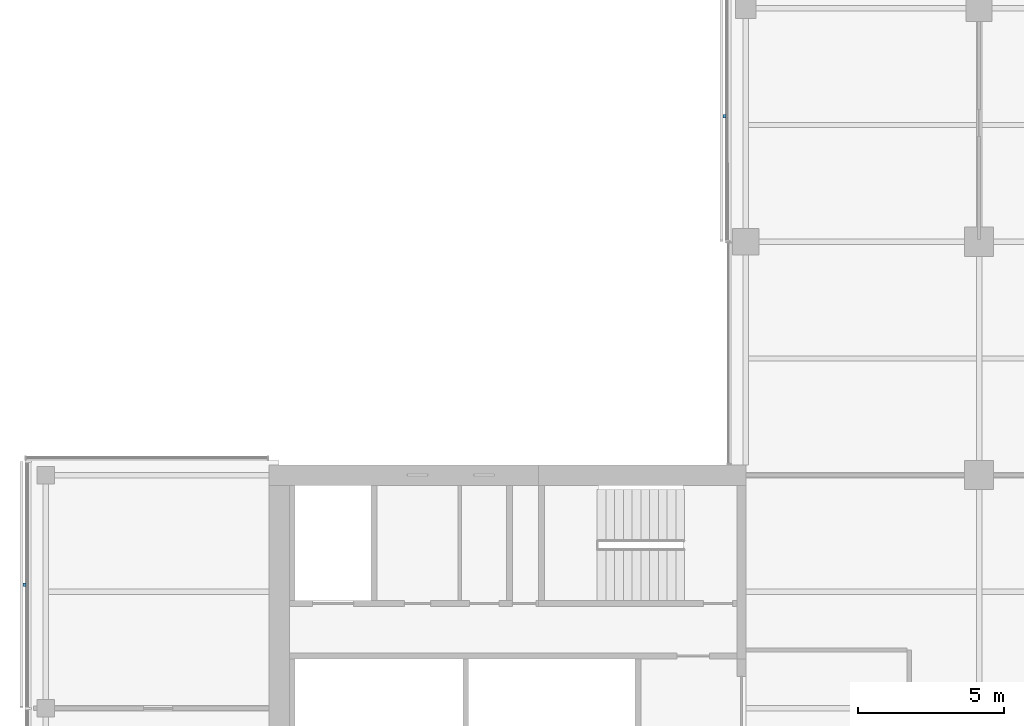
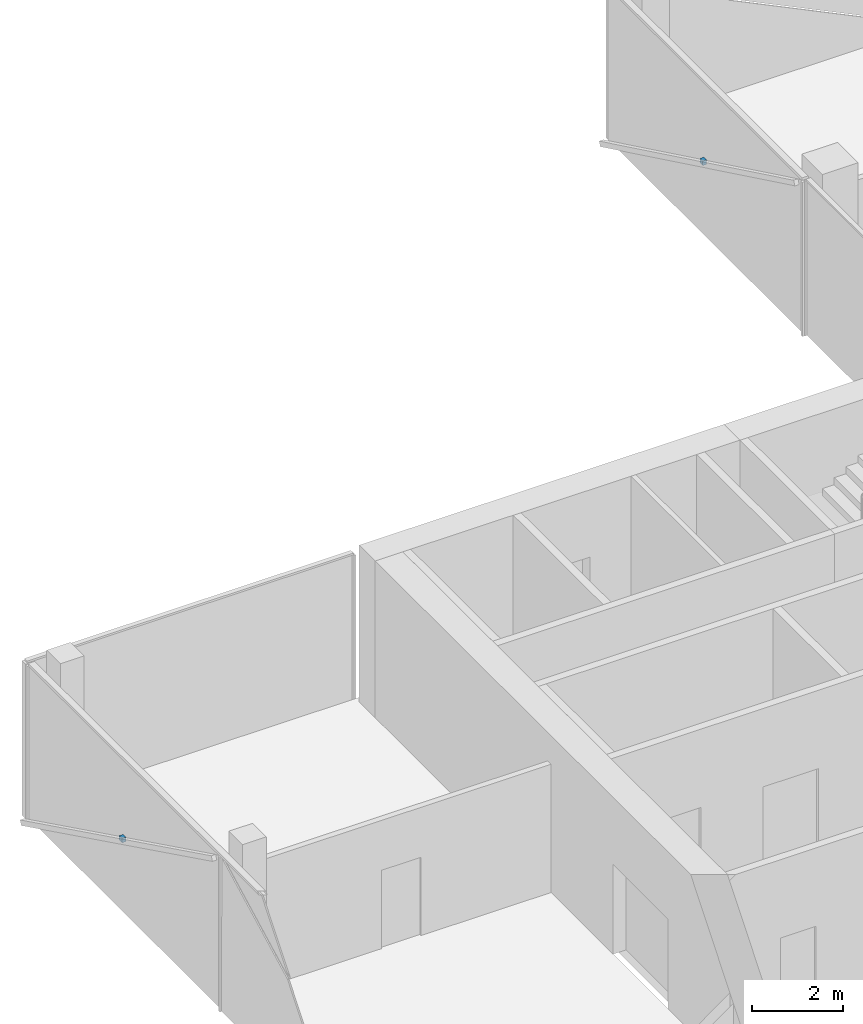
# One storey, part 19 of 22: 2 discrete accessories.
"""IFC4 building model written with IfcOpenShell, lengths in metres."""

from ifc_helpers import new_model, si_unit, direction, frame, origin, origin_2d, place, context, subcontext, project, spatial, rectangle, extrude, material, type_object, element, save


model = new_model("IFC4")

# Units and contexts
model_context = context("Model", 3, precision=1e-05, world=origin(), true_north=direction((0.0, 1.0)))
body_context = subcontext(model_context, "Body", "Model", "MODEL_VIEW")
ifc_project = project(units=[si_unit("LENGTHUNIT", "METRE"), si_unit("AREAUNIT", "SQUARE_METRE"), si_unit("VOLUMEUNIT", "CUBIC_METRE"), si_unit("PLANEANGLEUNIT", "RADIAN"), si_unit("MASSUNIT", "GRAM", prefix="KILO")], contexts=[model_context])

# Site, building, storey
site_placement = place(None, origin())
site = spatial("IfcSite", under=ifc_project, at=site_placement, CompositionType="ELEMENT")
building_placement = place(site_placement, origin())
building = spatial("IfcBuilding", under=site, at=building_placement, Name="Crosswind Convention Tower", CompositionType="ELEMENT")
storey_placement = place(building_placement, frame((0.0, 0.0, 158.89990234375)))
storey = spatial("IfcBuildingStorey", under=building, at=storey_placement, Name="L33", CompositionType="ELEMENT", Elevation=158.89990234375)

# Discrete accessories
ifc_material = material(Name="Stainless steel", Category="steel")
discrete_accessory_type = type_object("IfcDiscreteAccessoryType", Name="BAGUETTE BRACKET BK3", PredefinedType="BRACKET", material=ifc_material)
for number, where, z_axis, x_axis, name in (
    (1, (112.27392578125, 124.304931640625, 1.705078125), (0.0, 0.0, 1.0), (0.0, -1.0, 0.0), "BK3 baguette bracket"),
    (2, (88.27392578125, 108.232421875, 1.705078125), (0.0, 0.0, 1.0), (0.0, -1.0, 0.0), "BK3 baguette bracket"),
):
    element("IfcDiscreteAccessory", number, at=place(storey_placement, frame(where, z_axis=z_axis, x_axis=x_axis)), inside=storey, type_object=discrete_accessory_type, Name=name, PredefinedType="BRACKET", context=body_context, shape_type="SweptSolid", body=[
        extrude(rectangle(XDim=0.1201171875, YDim=0.10009765625, at=origin_2d()), origin(), (0.0, 0.0, 1.0), 0.1201171875),
    ])

save(model, "model.ifc")
